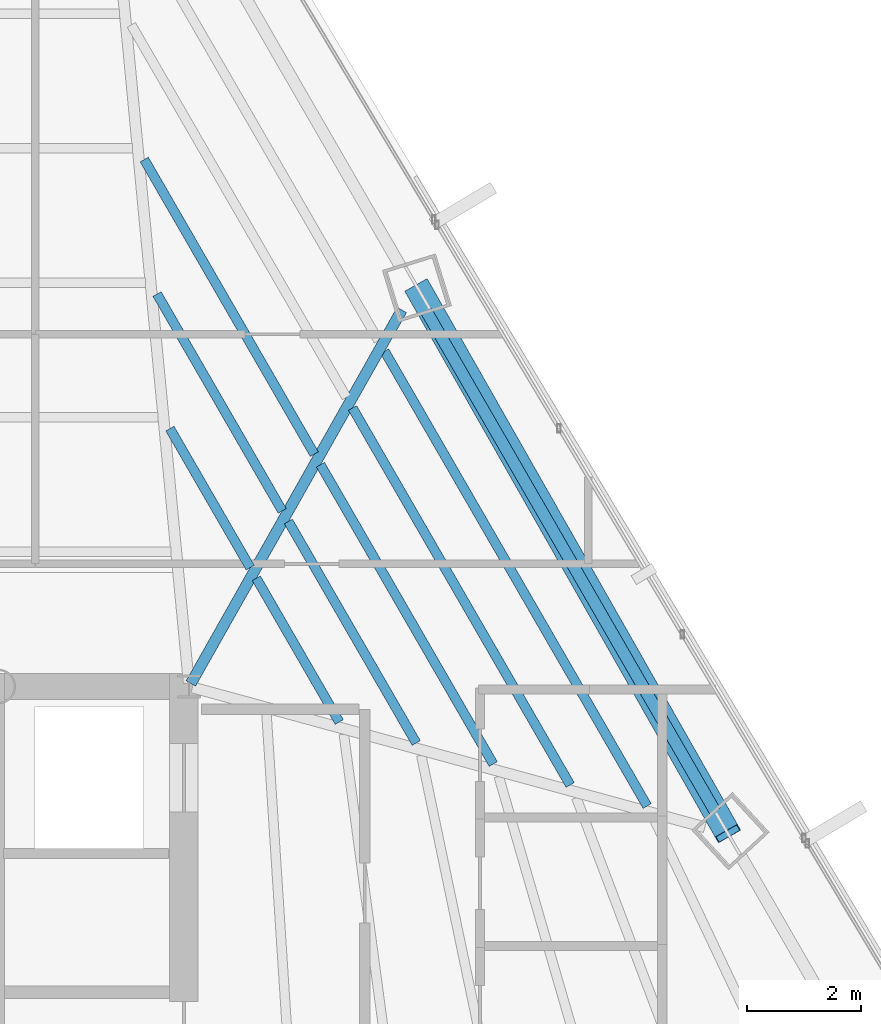
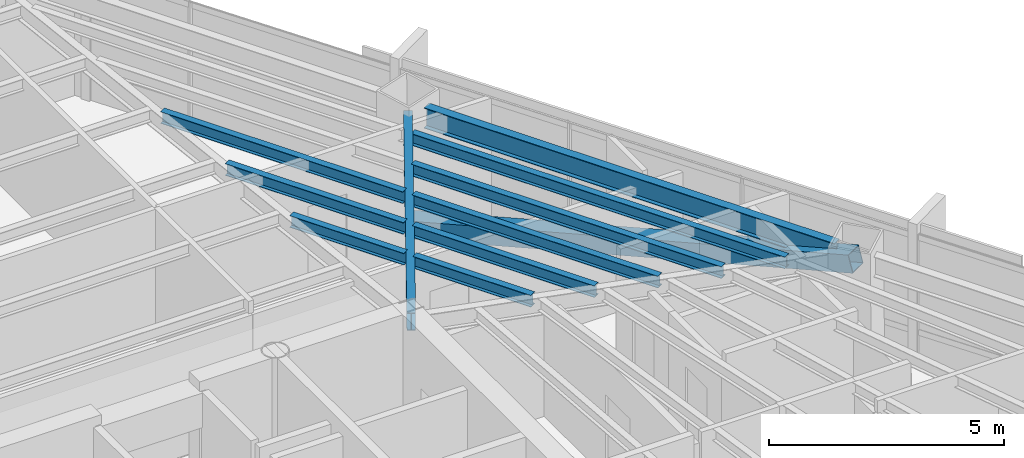
# One storey, part 23 of 41: 10 beams, 1 member.
"""IFC4 building model written with IfcOpenShell, lengths in metres."""

import ifcopenshell
import ifcopenshell.guid

model = None  # the IFC model being written
_history = None  # IfcOwnerHistory: only IFC2X3 demands one
_inside = {}  # id of a spatial element -> (the spatial element, [elements in it])
_under = {}  # id of a project, library or spatial element -> (it, [spatial elements below it])
_declared = {}  # id of a project -> (the project, [libraries it declares])
_typed = {}  # id of a type object -> (the type object, [elements of that type])
_made_of = {}  # id of a material, layer set ... -> (it, [elements and type objects made of it])


def new_model(schema):
    """Start an empty IFC model of exactly this schema.

    Asked for "IFC4X3", IfcOpenShell would pick the latest addendum, in which some entities
    have other attributes; the version numbers below select the first issue.
    IFC2X3 requires an IfcOwnerHistory on every rooted entity: one is made here for all.
    """
    global model, _history
    if schema == "IFC4X3":
        model = ifcopenshell.file(schema_version=(4, 3, 0, 0))
    else:
        model = ifcopenshell.file(schema=schema)
    _inside.clear()
    _under.clear()
    _declared.clear()
    _typed.clear()
    _made_of.clear()
    _history = None
    if model.schema == "IFC2X3":
        org = make("IfcOrganization", Name="unknown")
        user = make(
            "IfcPersonAndOrganization",
            ThePerson=make("IfcPerson", FamilyName="unknown"),
            TheOrganization=org,
        )
        app = make(
            "IfcApplication",
            ApplicationDeveloper=org,
            Version="unknown",
            ApplicationFullName="unknown",
            ApplicationIdentifier="unknown",
        )
        _history = make(
            "IfcOwnerHistory",
            OwningUser=user,
            OwningApplication=app,
            ChangeAction="ADDED",
            CreationDate=0,
        )
    return model


def make(cls, **values):
    """One entity of the class cls with the attributes given. An attribute that is None is left unset."""
    return model.create_entity(
        cls, **{name: value for name, value in values.items() if value is not None}
    )


def rooted(cls, **values):
    """An entity with a GlobalId (a new one), such as an element, a storey or a relation."""
    return make(cls, GlobalId=ifcopenshell.guid.new(), OwnerHistory=_history, **values)


def si_unit(unit_type, name, prefix=None):
    """IfcSIUnit, for example si_unit("LENGTHUNIT", "METRE", prefix="MILLI")."""
    return make("IfcSIUnit", UnitType=unit_type, Prefix=prefix, Name=name)


def assignment(units):
    """IfcUnitAssignment: the units of a project."""
    return None if units is None else make("IfcUnitAssignment", Units=units)


def point(xyz):
    """IfcCartesianPoint."""
    return None if xyz is None else make("IfcCartesianPoint", Coordinates=xyz)


def direction(xyz):
    """IfcDirection."""
    return None if xyz is None else make("IfcDirection", DirectionRatios=xyz)


def frame(location, z_axis=None, x_axis=None):
    """IfcAxis2Placement3D, a coordinate frame: its origin and axes. An axis left out is left unset."""
    return make(
        "IfcAxis2Placement3D",
        Location=point(location),
        Axis=direction(z_axis),
        RefDirection=direction(x_axis),
    )


def frame_2d(location, x_axis=None):
    """IfcAxis2Placement2D, a coordinate frame in the plane: its origin and x axis."""
    return make(
        "IfcAxis2Placement2D", Location=point(location), RefDirection=direction(x_axis)
    )


def origin():
    """The frame at (0, 0, 0) with its axes left unset."""
    return frame((0.0, 0.0, 0.0))


def origin_2d():
    """The frame at (0, 0) in the plane with its x axis left unset."""
    return frame_2d((0.0, 0.0))


def place(relative_to, where):
    """IfcLocalPlacement: puts the frame where relative to a parent placement (None: the world)."""
    return make(
        "IfcLocalPlacement", PlacementRelTo=relative_to, RelativePlacement=where
    )


def context(
    kind, dimensions, precision=None, world=None, true_north=None, identifier=None
):
    """IfcGeometricRepresentationContext, for example the 3D "Model" context."""
    return make(
        "IfcGeometricRepresentationContext",
        ContextIdentifier=identifier,
        ContextType=kind,
        CoordinateSpaceDimension=dimensions,
        Precision=precision,
        WorldCoordinateSystem=world,
        TrueNorth=true_north,
    )


def subcontext(parent, identifier, kind, view, scale=None):
    """IfcGeometricRepresentationSubContext, for example "Body" below "Model"."""
    return make(
        "IfcGeometricRepresentationSubContext",
        ContextIdentifier=identifier,
        ContextType=kind,
        ParentContext=parent,
        TargetScale=scale,
        TargetView=view,
    )


def project(units=None, contexts=None):
    """IfcProject with its units and contexts."""
    return rooted(
        "IfcProject",
        Name="project",
        RepresentationContexts=contexts,
        UnitsInContext=assignment(units),
    )


def spatial(cls, under=None, at=None, **own):
    """A site, building, storey or space (cls), placed at a placement, below another one or the project."""
    s = rooted(cls, ObjectPlacement=at, **own)
    if under is not None:
        _under.setdefault(under.id(), (under, []))[1].append(s)
    return s


def profile(cls, at=None, kind="AREA", **sizes):
    """A parametric profile (cls). Its sizes go by their IFC names, for example OverallWidth=200.0."""
    return make(cls, ProfileType=kind, Position=at, **sizes)


def hollow_rectangle(**sizes):
    """IfcRectangleHollowProfileDef."""
    return profile("IfcRectangleHollowProfileDef", **sizes)


def i_section(**sizes):
    """IfcIShapeProfileDef."""
    return profile("IfcIShapeProfileDef", **sizes)


def extrude(swept, where, along, depth):
    """IfcExtrudedAreaSolid: the profile swept, set in the frame where, extruded along a direction by depth."""
    return make(
        "IfcExtrudedAreaSolid",
        SweptArea=swept,
        Position=where,
        ExtrudedDirection=direction(along),
        Depth=depth,
    )


def shape(context_of_items, identifier, shape_type, items):
    """IfcShapeRepresentation: the items that make up one representation, for example the "Body"."""
    return make(
        "IfcShapeRepresentation",
        ContextOfItems=context_of_items,
        RepresentationIdentifier=identifier,
        RepresentationType=shape_type,
        Items=items,
    )


def source(mapping_origin, context_of_items, identifier, shape_type, items):
    """IfcRepresentationMap: a shape defined once, which mapped items show again and again."""
    return make(
        "IfcRepresentationMap",
        MappingOrigin=mapping_origin,
        MappedRepresentation=shape(context_of_items, identifier, shape_type, items),
    )


def transform(
    local_origin,
    x_axis=None,
    y_axis=None,
    z_axis=None,
    scale=None,
    scale2=None,
    scale3=None,
    uniform=True,
):
    """IfcCartesianTransformationOperator3D, or its non-uniform kind. x_axis, y_axis, z_axis: its Axis1, 2, 3."""
    if uniform:
        return make(
            "IfcCartesianTransformationOperator3D",
            Axis1=direction(x_axis),
            Axis2=direction(y_axis),
            LocalOrigin=point(local_origin),
            Scale=scale,
            Axis3=direction(z_axis),
        )
    return make(
        "IfcCartesianTransformationOperator3DnonUniform",
        Axis1=direction(x_axis),
        Axis2=direction(y_axis),
        LocalOrigin=point(local_origin),
        Scale=scale,
        Axis3=direction(z_axis),
        Scale2=scale2,
        Scale3=scale3,
    )


def mapped(mapping_source, mapping_target):
    """IfcMappedItem: shows the shape of a source again, moved by a transform."""
    return make(
        "IfcMappedItem", MappingSource=mapping_source, MappingTarget=mapping_target
    )


def material(Name=None, Category=None):
    """IfcMaterial."""
    return make("IfcMaterial", Name=Name, Category=Category)


def material_profile(
    of_material, cross_section, Name=None, Category=None, Priority=None
):
    """IfcMaterialProfile: a cross section and its material."""
    return make(
        "IfcMaterialProfile",
        Name=Name,
        Material=of_material,
        Profile=cross_section,
        Priority=Priority,
        Category=Category,
    )


def profile_set(profiles, Name=None, composite=None):
    """IfcMaterialProfileSet."""
    return make(
        "IfcMaterialProfileSet",
        Name=Name,
        MaterialProfiles=profiles,
        CompositeProfile=composite,
    )


def made_of(thing, what):
    """Note that an element or type object is made of a material, layer set ...; save() writes the relation."""
    if what is not None:
        _made_of.setdefault(what.id(), (what, []))[1].append(thing)
    return thing


def type_object(cls, material=None, **own):
    """A type object (cls), such as IfcWallType, which elements share."""
    return made_of(rooted(cls, **own), material)


def type_shapes(of_type, sources):
    """Give a type object the sources (RepresentationMaps) that its elements show as mapped items."""
    of_type.RepresentationMaps = sources


def element(
    cls,
    number,
    at=None,
    inside=None,
    cuts=None,
    type_object=None,
    material=None,
    context=None,
    identifier="Body",
    shape_type=None,
    held_by="IfcProductDefinitionShape",
    body=None,
    shapes=None,
    **own,
):
    """One element of the class cls, such as IfcWall. Its Tag is "e" and its number.

    at: its placement. inside: the storey or other place that contains it. cuts: it is an
    opening in that element (IfcRelVoidsElement). A single representation is given by context,
    identifier, shape_type and body (its items); several are given by shapes. held_by: the class
    of the entity that holds the representations. save() writes the other relations.
    """
    e = rooted(cls, Tag="e%d" % number, ObjectPlacement=at, **own)
    if body is not None:
        shapes = [shape(context, identifier, shape_type, body)]
    if shapes is not None:
        e.Representation = make(held_by, Representations=shapes)
    if inside is not None:
        _inside.setdefault(inside.id(), (inside, []))[1].append(e)
    if cuts is not None:
        rooted(
            "IfcRelVoidsElement", RelatingBuildingElement=cuts, RelatedOpeningElement=e
        )
    if type_object is not None:
        _typed.setdefault(type_object.id(), (type_object, []))[1].append(e)
    return made_of(e, material)


def aggregate(whole, parts):
    """IfcRelAggregates: a whole, such as a stair, and the parts it consists of."""
    return rooted("IfcRelAggregates", RelatingObject=whole, RelatedObjects=parts)


def save(model, path):
    """Write the relations noted so far, then the file.

    IfcRelAggregates (storeys below a building ...), IfcRelContainedInSpatialStructure (elements
    in a storey), IfcRelDefinesByType, IfcRelAssociatesMaterial and IfcRelDeclares: one each for
    every whole, place, type object, material and project.
    """
    for whole, parts in _under.values():
        aggregate(whole, parts)
    for where, things in _inside.values():
        rooted(
            "IfcRelContainedInSpatialStructure",
            RelatedElements=things,
            RelatingStructure=where,
        )
    for kind, things in _typed.values():
        rooted("IfcRelDefinesByType", RelatedObjects=things, RelatingType=kind)
    for what, things in _made_of.values():
        rooted("IfcRelAssociatesMaterial", RelatedObjects=things, RelatingMaterial=what)
    for by, libraries in _declared.values():
        rooted("IfcRelDeclares", RelatingContext=by, RelatedDefinitions=libraries)
    model.write(path)


model = new_model("IFC4")

# Units and contexts
model_context = context("Model", 3, precision=1e-05, world=origin(), true_north=direction((0.0, 1.0)))
body_context = subcontext(model_context, "Body", "Model", "MODEL_VIEW")
ifc_project = project(units=[si_unit("LENGTHUNIT", "METRE"), si_unit("AREAUNIT", "SQUARE_METRE"), si_unit("VOLUMEUNIT", "CUBIC_METRE"), si_unit("PLANEANGLEUNIT", "RADIAN"), si_unit("MASSUNIT", "GRAM", prefix="KILO")], contexts=[model_context])

# Site, building, storey
site_placement = place(None, origin())
site = spatial("IfcSite", under=ifc_project, at=site_placement, CompositionType="ELEMENT")
building_placement = place(site_placement, origin())
building = spatial("IfcBuilding", under=site, at=building_placement, Name="Caelisora Broadcast Tower", CompositionType="ELEMENT")
storey_placement = place(building_placement, frame((0.0, 0.0, 165.800048828125)))
storey = spatial("IfcBuildingStorey", under=building, at=storey_placement, Name="L43", CompositionType="ELEMENT", Elevation=165.800048828125)

# Beams
ifc_material_1 = material(Name="Steel Grade 350 (AS/NZS 3679.1)", Category="steel")
ifc_material_profile_1 = material_profile(ifc_material_1, i_section(OverallWidth=0.208984375, OverallDepth=0.532958984375, WebThickness=0.01025390625, FlangeThickness=0.015625, at=origin_2d()), Name="Steel Grade 350 (AS/NZS 3679.1)")
ifc_profile_set_1 = profile_set([ifc_material_profile_1], Name="Steel Grade 350 (AS/NZS 3679.1)")
beam_type_1 = type_object("IfcBeamType", Name="PG05", PredefinedType="BEAM", material=ifc_profile_set_1)
shared_shape_1 = source(origin(), body_context, "Body", "SweptSolid", [
    extrude(i_section(OverallWidth=0.208984375, OverallDepth=0.532958984375, WebThickness=0.01025390625, FlangeThickness=0.015625, at=origin_2d()), origin(), (0.0, 0.0, 1.0), 10.108642578125),
])
type_shapes(beam_type_1, [shared_shape_1])
beam_1_placement = place(storey_placement, frame((54.7216796875, 27.818115234375, 3.133544921875), z_axis=(-0.500017233462, 0.866015453812, 0.0), x_axis=(-0.866015453812, -0.500017233462, 0.0)))
element("IfcBeam", 1, at=beam_1_placement, inside=storey, type_object=beam_type_1, Name="L43 beam PG05", PredefinedType="BEAM", context=body_context, shape_type="MappedRepresentation", body=[
    mapped(shared_shape_1, transform((0.0, 0.0, 0.0), scale=1.0)),
])
ifc_material_profile_2 = material_profile(ifc_material_1, i_section(OverallWidth=0.19091796875, OverallDepth=0.46044921875, WebThickness=0.010009765625, FlangeThickness=0.01611328125, at=origin_2d()), Name="Steel Grade 350 (AS/NZS 3679.1)")
ifc_profile_set_2 = profile_set([ifc_material_profile_2], Name="Steel Grade 350 (AS/NZS 3679.1)")
beam_type_2 = type_object("IfcBeamType", Name="PG06", PredefinedType="BEAM", material=ifc_profile_set_2)
shared_shape_2 = source(origin(), body_context, "Body", "SweptSolid", [
    extrude(i_section(OverallWidth=0.19091796875, OverallDepth=0.46044921875, WebThickness=0.010009765625, FlangeThickness=0.01611328125, at=origin_2d()), origin(), (0.0, 0.0, 1.0), 7.525634765625),
])
type_shapes(beam_type_2, [shared_shape_2])
beam_2_placement = place(storey_placement, frame((45.529541015625, 30.05224609375, 3.169677734375), z_axis=(0.491800684378, 0.870707807962, 0.0), x_axis=(-0.870707807962, 0.491800684378, 0.0)))
element("IfcBeam", 2, at=beam_2_placement, inside=storey, type_object=beam_type_2, Name="L43 beam PG06", PredefinedType="BEAM", context=body_context, shape_type="MappedRepresentation", body=[
    mapped(shared_shape_2, transform((0.0, 0.0, 0.0), scale=1.0)),
])
ifc_material_profile_3 = material_profile(ifc_material_1, i_section(OverallWidth=0.166015625, OverallDepth=0.30712890625, WebThickness=0.006591796875, FlangeThickness=0.01171875, at=origin_2d()), Name="Steel Grade 350 (AS/NZS 3679.1)")
ifc_profile_set_3 = profile_set([ifc_material_profile_3], Name="Steel Grade 350 (AS/NZS 3679.1)")
beam_type_3 = type_object("IfcBeamType", Name="SB03", PredefinedType="JOIST", material=ifc_profile_set_3)
shared_shape_3 = source(origin(), body_context, "Body", "SweptSolid", [
    extrude(i_section(OverallWidth=0.166015625, OverallDepth=0.30712890625, WebThickness=0.006591796875, FlangeThickness=0.01171875, at=origin_2d()), origin(), (0.0, 0.0, 1.0), 2.816162109375),
])
beam_3_placement = place(storey_placement, frame((46.571044921875, 32.085205078125, 3.246337890625), z_axis=(-0.500055147301, 0.865993562134, 0.0), x_axis=(-0.865993562134, -0.500055147301, 0.0)))
element("IfcBeam", 3, at=beam_3_placement, inside=storey, type_object=beam_type_3, Name="L43 beam SB03", PredefinedType="JOIST", context=body_context, shape_type="MappedRepresentation", body=[
    mapped(shared_shape_3, transform((0.0, 0.0, 0.0), scale=1.0)),
])
shared_shape_4 = source(origin(), body_context, "Body", "SweptSolid", [
    extrude(i_section(OverallWidth=0.166015625, OverallDepth=0.30712890625, WebThickness=0.006591796875, FlangeThickness=0.01171875, at=origin_2d()), origin(), (0.0, 0.0, 1.0), 4.391845703125),
])
beam_4_placement = place(storey_placement, frame((47.133544921875, 33.080810546875, 3.246337890625), z_axis=(-0.50001918445, 0.866014327354, 0.0), x_axis=(-0.866014327354, -0.50001918445, 0.0)))
element("IfcBeam", 4, at=beam_4_placement, inside=storey, type_object=beam_type_3, Name="L43 beam SB03", PredefinedType="JOIST", context=body_context, shape_type="MappedRepresentation", body=[
    mapped(shared_shape_4, transform((0.0, 0.0, 0.0), scale=1.0)),
])
shared_shape_5 = source(origin(), body_context, "Body", "SweptSolid", [
    extrude(i_section(OverallWidth=0.166015625, OverallDepth=0.30712890625, WebThickness=0.006591796875, FlangeThickness=0.01171875, at=origin_2d()), origin(), (0.0, 0.0, 1.0), 5.967041015625),
])
beam_5_placement = place(storey_placement, frame((47.69580078125, 34.07666015625, 3.246337890625), z_axis=(-0.49997627504, 0.866039100963, 0.0), x_axis=(-0.866039100963, -0.49997627504, 0.0)))
element("IfcBeam", 5, at=beam_5_placement, inside=storey, type_object=beam_type_3, Name="L43 beam SB03", PredefinedType="JOIST", context=body_context, shape_type="MappedRepresentation", body=[
    mapped(shared_shape_5, transform((0.0, 0.0, 0.0), scale=1.0)),
])
shared_shape_6 = source(origin(), body_context, "Body", "SweptSolid", [
    extrude(i_section(OverallWidth=0.166015625, OverallDepth=0.30712890625, WebThickness=0.006591796875, FlangeThickness=0.01171875, at=origin_2d()), origin(), (0.0, 0.0, 1.0), 2.910400390625),
])
beam_6_placement = place(storey_placement, frame((48.134033203125, 29.377685546875, 3.246337890625), z_axis=(-0.499964504253, 0.866045896294, 0.0), x_axis=(-0.866045896294, -0.499964504253, 0.0)))
element("IfcBeam", 6, at=beam_6_placement, inside=storey, type_object=beam_type_3, Name="L43 beam SB03", PredefinedType="JOIST", context=body_context, shape_type="MappedRepresentation", body=[
    mapped(shared_shape_6, transform((0.0, 0.0, 0.0), scale=1.0)),
])
shared_shape_7 = source(origin(), body_context, "Body", "SweptSolid", [
    extrude(i_section(OverallWidth=0.166015625, OverallDepth=0.30712890625, WebThickness=0.006591796875, FlangeThickness=0.01171875, at=origin_2d()), origin(), (0.0, 0.0, 1.0), 4.486083984375),
])
beam_7_placement = place(storey_placement, frame((49.484375, 29.009033203125, 3.246337890625), z_axis=(-0.499984700226, 0.866034236933, 0.0), x_axis=(-0.866034236933, -0.499984700226, 0.0)))
element("IfcBeam", 7, at=beam_7_placement, inside=storey, type_object=beam_type_3, Name="L43 beam SB03", PredefinedType="JOIST", context=body_context, shape_type="MappedRepresentation", body=[
    mapped(shared_shape_7, transform((0.0, 0.0, 0.0), scale=1.0)),
])
shared_shape_8 = source(origin(), body_context, "Body", "SweptSolid", [
    extrude(i_section(OverallWidth=0.166015625, OverallDepth=0.30712890625, WebThickness=0.006591796875, FlangeThickness=0.01171875, at=origin_2d()), origin(), (0.0, 0.0, 1.0), 6.061767578125),
])
beam_8_placement = place(storey_placement, frame((50.834716796875, 28.640380859375, 3.246337890625), z_axis=(-0.500024603663, 0.866011198387, 0.0), x_axis=(-0.866011198387, -0.500024603663, 0.0)))
element("IfcBeam", 8, at=beam_8_placement, inside=storey, type_object=beam_type_3, Name="L43 beam SB03", PredefinedType="JOIST", context=body_context, shape_type="MappedRepresentation", body=[
    mapped(shared_shape_8, transform((0.0, 0.0, 0.0), scale=1.0)),
])
shared_shape_9 = source(origin(), body_context, "Body", "SweptSolid", [
    extrude(i_section(OverallWidth=0.166015625, OverallDepth=0.30712890625, WebThickness=0.006591796875, FlangeThickness=0.01171875, at=origin_2d()), origin(), (0.0, 0.0, 1.0), 7.636962890625),
])
beam_9_placement = place(storey_placement, frame((52.184814453125, 28.271728515625, 3.246337890625), z_axis=(-0.500013935038, 0.866017358237, 0.0), x_axis=(-0.866017358237, -0.500013935038, 0.0)))
element("IfcBeam", 9, at=beam_9_placement, inside=storey, type_object=beam_type_3, Name="L43 beam SB03", PredefinedType="JOIST", context=body_context, shape_type="MappedRepresentation", body=[
    mapped(shared_shape_9, transform((0.0, 0.0, 0.0), scale=1.0)),
])
shared_shape_10 = source(origin(), body_context, "Body", "SweptSolid", [
    extrude(i_section(OverallWidth=0.166015625, OverallDepth=0.30712890625, WebThickness=0.006591796875, FlangeThickness=0.01171875, at=origin_2d()), origin(), (0.0, 0.0, 1.0), 9.212158203125),
])
type_shapes(beam_type_3, [shared_shape_3, shared_shape_4, shared_shape_5, shared_shape_6, shared_shape_7, shared_shape_8, shared_shape_9, shared_shape_10])
beam_10_placement = place(storey_placement, frame((53.534912109375, 27.9033203125, 3.246337890625), z_axis=(-0.500006914999, 0.866021411371, 0.0), x_axis=(-0.866021411371, -0.500006914999, 0.0)))
element("IfcBeam", 10, at=beam_10_placement, inside=storey, type_object=beam_type_3, Name="L43 beam SB03", PredefinedType="JOIST", context=body_context, shape_type="MappedRepresentation", body=[
    mapped(shared_shape_10, transform((0.0, 0.0, 0.0), scale=1.0)),
])

# Member
ifc_material_2 = material(Name="Steel Grade 450 (AS/NZS 1163 C450L0)", Category="steel")
ifc_material_profile_4 = material_profile(ifc_material_2, hollow_rectangle(XDim=0.449951171875, YDim=0.449951171875, WallThickness=0.01611328125, at=origin_2d()), Name="Steel Grade 450 (AS/NZS 1163 C450L0)")
ifc_profile_set_4 = profile_set([ifc_material_profile_4], Name="Steel Grade 450 (AS/NZS 1163 C450L0)")
member_type = type_object("IfcMemberType", Name="BR03", PredefinedType="BRACE", material=ifc_profile_set_4)
shared_shape_11 = source(origin(), body_context, "Body", "SweptSolid", [
    extrude(hollow_rectangle(XDim=0.449951171875, YDim=0.449951171875, WallThickness=0.01611328125, at=origin_2d()), origin(), (0.0, 0.0, 1.0), 11.413818359375),
])
type_shapes(member_type, [shared_shape_11])
member_placement = place(storey_placement, frame((54.95166015625, 27.419677734375, 3.099853515625), z_axis=(-0.476931228626, 0.838720473859, -0.262839437474), x_axis=(-0.869284888907, -0.494311421998, 0.0)))
element("IfcMember", 11, at=member_placement, inside=storey, type_object=member_type, Name="L43 perimeter brace BR03", PredefinedType="BRACE", context=body_context, shape_type="MappedRepresentation", body=[
    mapped(shared_shape_11, transform((0.0, 0.0, 0.0), scale=1.0)),
])

save(model, "model.ifc")
